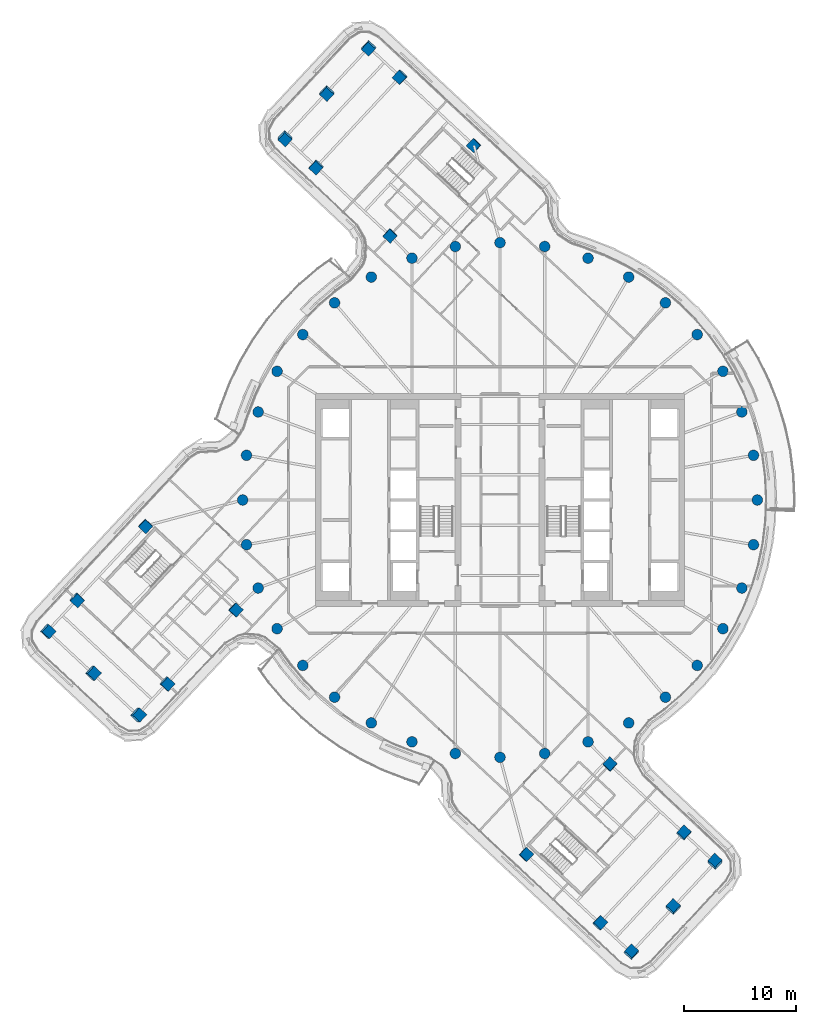
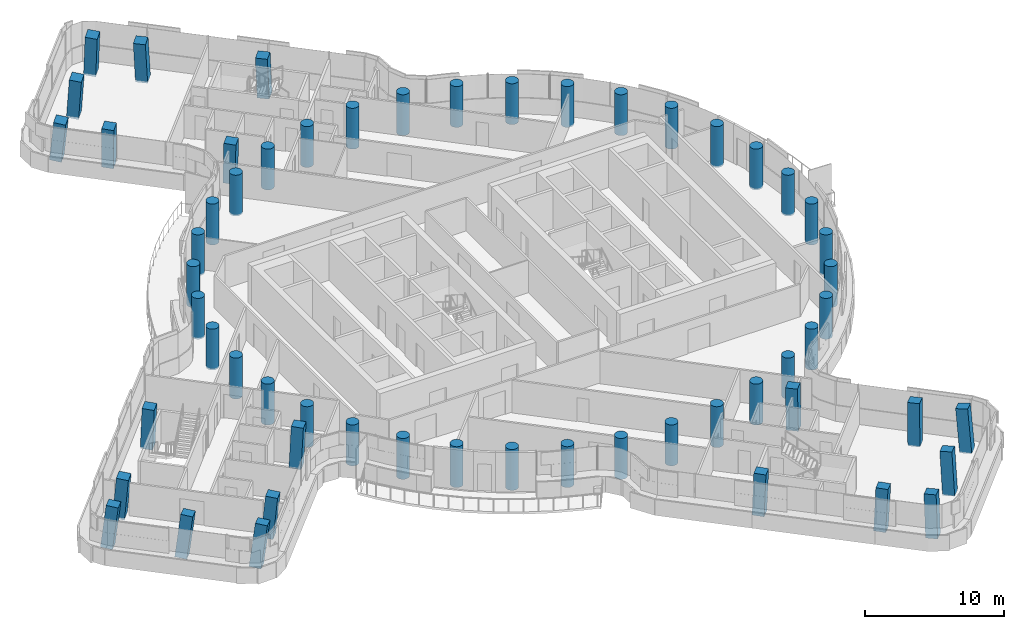
# One storey, part 1 of 30: 57 columns.
"""IFC4 building model written with IfcOpenShell, lengths in metres."""

from ifc_helpers import new_model, si_unit, direction, frame, origin, origin_2d, place, context, subcontext, project, spatial, rectangle, circle, extrude, material, material_profile, profile_set, type_object, element, save


model = new_model("IFC4")

# Units and contexts
model_context = context("Model", 3, precision=1e-05, world=origin(), true_north=direction((0.0, 1.0)))
body_context = subcontext(model_context, "Body", "Model", "MODEL_VIEW")
ifc_project = project(units=[si_unit("LENGTHUNIT", "METRE"), si_unit("AREAUNIT", "SQUARE_METRE"), si_unit("VOLUMEUNIT", "CUBIC_METRE"), si_unit("PLANEANGLEUNIT", "RADIAN"), si_unit("MASSUNIT", "GRAM", prefix="KILO")], contexts=[model_context])

# Site, building, storey
site_placement = place(None, origin())
site = spatial("IfcSite", under=ifc_project, at=site_placement, CompositionType="ELEMENT")
building_placement = place(site_placement, origin())
building = spatial("IfcBuilding", under=site, at=building_placement, Name="Tamarind Cross Interchange Tower", CompositionType="ELEMENT")
storey_placement = place(building_placement, frame((0.0, 0.0, 204.10009765625)))
storey = spatial("IfcBuildingStorey", under=building, at=storey_placement, Name="L51", CompositionType="ELEMENT", Elevation=204.10009765625)

# Columns
ifc_material = material(Name="Concrete C55", Category="concrete")
ifc_material_profile_1 = material_profile(ifc_material, rectangle(XDim=0.89990234375, YDim=0.89990234375, at=origin_2d()), Name="RC 900x900")
ifc_profile_set_1 = profile_set([ifc_material_profile_1], Name="Concrete C55")
column_type_1 = type_object("IfcColumnType", Name="Column RC 900x900 Concrete C55", PredefinedType="COLUMN", material=ifc_profile_set_1)
for number, where, z_axis, x_axis, name in (
    (1, (-16.405517578125, 29.771484375, -0.138671875), (-0.038455830052, -0.083129474453, 0.995796485037), (0.680119574206, 0.727916781478, 0.087031741478), "Column L51-043"),
    (2, (-8.906005859375, 37.818359375, -0.138671875), (-0.079345218044, -0.045620121107, 0.995802762059), (0.730415290282, -0.682472041638, 0.026933549795), "Column L51-044"),
):
    element("IfcColumn", number, at=place(storey_placement, frame(where, z_axis=z_axis, x_axis=x_axis)), inside=storey, type_object=column_type_1, Name=name, PredefinedType="COLUMN", context=body_context, shape_type="SweptSolid", body=[
        extrude(rectangle(XDim=0.89990234375, YDim=0.89990234375, at=origin_2d()), origin(), (0.0, 0.0, 1.0), 3.6123046875),
    ])
for number, where, z_axis, x_axis, name in (
    (3, (-9.82177734375, 23.63525390625, -0.138916015625), (-0.00779464519, -0.049750170171, 0.998731277208), (0.681290927814, 0.730822792245, 0.041721912875), "Column L51-045"),
    (4, (-2.322021484375, 31.682373046875, -0.138916015625), (-0.048869007181, -0.012200306925, 0.998730680738), (0.730987632743, -0.681838831127, 0.027438825491), "Column L51-046"),
):
    element("IfcColumn", number, at=place(storey_placement, frame(where, z_axis=z_axis, x_axis=x_axis)), inside=storey, type_object=column_type_1, Name=name, PredefinedType="COLUMN", context=body_context, shape_type="SweptSolid", body=[
        extrude(rectangle(XDim=0.89990234375, YDim=0.89990234375, at=origin_2d()), origin(), (0.0, 0.0, 1.0), 3.60205078125),
    ])
column_1_placement = place(storey_placement, frame((-11.71875, 40.43994140625, -0.13818359375), z_axis=(-0.032088353302, -0.11379231171, 0.992986227184), x_axis=(0.680161035871, 0.725486944948, 0.105117353438)))
element("IfcColumn", 5, at=column_1_placement, inside=storey, type_object=column_type_1, Name="Column L51-047", PredefinedType="COLUMN", context=body_context, shape_type="SweptSolid", body=[
    extrude(rectangle(XDim=0.89990234375, YDim=0.89990234375, at=origin_2d()), origin(), (0.0, 0.0, 1.0), 3.62158203125),
])
column_2_placement = place(storey_placement, frame((-15.46875, 36.416259765625, -0.137939453125), z_axis=(-0.011642373174, -0.132238516112, 0.991149549767), x_axis=(0.681124805632, 0.724645151317, 0.10468239501)))
element("IfcColumn", 6, at=column_2_placement, inside=storey, type_object=column_type_1, Name="Column L51-048", PredefinedType="COLUMN", context=body_context, shape_type="SweptSolid", body=[
    extrude(rectangle(XDim=0.89990234375, YDim=0.89990234375, at=origin_2d()), origin(), (0.0, 0.0, 1.0), 3.6279296875),
])
column_3_placement = place(storey_placement, frame((-19.218505859375, 32.392822265625, -0.137939453125), z_axis=(0.008725865026, -0.150487610677, 0.988573385395), x_axis=(0.682102485037, 0.723800136939, 0.104161229221)))
element("IfcColumn", 7, at=column_3_placement, inside=storey, type_object=column_type_1, Name="Column L51-049", PredefinedType="COLUMN", context=body_context, shape_type="SweptSolid", body=[
    extrude(rectangle(XDim=0.89990234375, YDim=0.89990234375, at=origin_2d()), origin(), (0.0, 0.0, 1.0), 3.63720703125),
])
for number, where, z_axis, x_axis, name in (
    (8, (-29.771484375, -16.405517578125, -0.138671875), (0.083129474453, -0.038455830052, 0.995796485037), (-0.727916781478, 0.680119574206, 0.087031741478), "Column L51-050"),
    (9, (-37.818359375, -8.906005859375, -0.138671875), (0.045620121107, -0.079345218044, 0.995802762059), (0.682472041638, 0.730415290282, 0.026933549795), "Column L51-051"),
):
    element("IfcColumn", number, at=place(storey_placement, frame(where, z_axis=z_axis, x_axis=x_axis)), inside=storey, type_object=column_type_1, Name=name, PredefinedType="COLUMN", context=body_context, shape_type="SweptSolid", body=[
        extrude(rectangle(XDim=0.89990234375, YDim=0.89990234375, at=origin_2d()), origin(), (0.0, 0.0, 1.0), 3.6123046875),
    ])
for number, where, z_axis, x_axis, name in (
    (10, (-23.63525390625, -9.82177734375, -0.138916015625), (0.049750170171, -0.00779464519, 0.998731277208), (-0.730822792245, 0.681290927814, 0.041721912875), "Column L51-052"),
    (11, (-31.682373046875, -2.322021484375, -0.138916015625), (0.012200306925, -0.048869007181, 0.998730680738), (0.681838831127, 0.730987632743, 0.027438825491), "Column L51-053"),
):
    element("IfcColumn", number, at=place(storey_placement, frame(where, z_axis=z_axis, x_axis=x_axis)), inside=storey, type_object=column_type_1, Name=name, PredefinedType="COLUMN", context=body_context, shape_type="SweptSolid", body=[
        extrude(rectangle(XDim=0.89990234375, YDim=0.89990234375, at=origin_2d()), origin(), (0.0, 0.0, 1.0), 3.60205078125),
    ])
column_4_placement = place(storey_placement, frame((-40.43994140625, -11.71875, -0.13818359375), z_axis=(0.11379231171, -0.032088353302, 0.992986227184), x_axis=(-0.725486944948, 0.680161035871, 0.105117353438)))
element("IfcColumn", 12, at=column_4_placement, inside=storey, type_object=column_type_1, Name="Column L51-054", PredefinedType="COLUMN", context=body_context, shape_type="SweptSolid", body=[
    extrude(rectangle(XDim=0.89990234375, YDim=0.89990234375, at=origin_2d()), origin(), (0.0, 0.0, 1.0), 3.62158203125),
])
column_5_placement = place(storey_placement, frame((-36.416259765625, -15.46875, -0.137939453125), z_axis=(0.132238516112, -0.011642373174, 0.991149549767), x_axis=(-0.724645151317, 0.681124805632, 0.10468239501)))
element("IfcColumn", 13, at=column_5_placement, inside=storey, type_object=column_type_1, Name="Column L51-055", PredefinedType="COLUMN", context=body_context, shape_type="SweptSolid", body=[
    extrude(rectangle(XDim=0.89990234375, YDim=0.89990234375, at=origin_2d()), origin(), (0.0, 0.0, 1.0), 3.6279296875),
])
column_6_placement = place(storey_placement, frame((-32.392822265625, -19.218505859375, -0.137939453125), z_axis=(0.150487610677, 0.008725865026, 0.988573385395), x_axis=(-0.723800136939, 0.682102485037, 0.104161229221)))
element("IfcColumn", 14, at=column_6_placement, inside=storey, type_object=column_type_1, Name="Column L51-056", PredefinedType="COLUMN", context=body_context, shape_type="SweptSolid", body=[
    extrude(rectangle(XDim=0.89990234375, YDim=0.89990234375, at=origin_2d()), origin(), (0.0, 0.0, 1.0), 3.63720703125),
])
for number, where, z_axis, x_axis, name in (
    (15, (16.405517578125, -29.771484375, -0.138671875), (0.038455830052, 0.083129474453, 0.995796485037), (-0.680119574206, -0.727916781478, 0.087031741478), "Column L51-057"),
    (16, (8.906005859375, -37.818359375, -0.138671875), (0.079345218044, 0.045620121107, 0.995802762059), (-0.730415290282, 0.682472041638, 0.026933549795), "Column L51-058"),
):
    element("IfcColumn", number, at=place(storey_placement, frame(where, z_axis=z_axis, x_axis=x_axis)), inside=storey, type_object=column_type_1, Name=name, PredefinedType="COLUMN", context=body_context, shape_type="SweptSolid", body=[
        extrude(rectangle(XDim=0.89990234375, YDim=0.89990234375, at=origin_2d()), origin(), (0.0, 0.0, 1.0), 3.6123046875),
    ])
for number, where, z_axis, x_axis, name in (
    (17, (9.82177734375, -23.63525390625, -0.138916015625), (0.00779464519, 0.049750170171, 0.998731277208), (-0.681290927814, -0.730822792245, 0.041721912875), "Column L51-059"),
    (18, (2.322021484375, -31.682373046875, -0.138916015625), (0.048869007181, 0.012200306925, 0.998730680738), (-0.730987632743, 0.681838831127, 0.027438825491), "Column L51-060"),
):
    element("IfcColumn", number, at=place(storey_placement, frame(where, z_axis=z_axis, x_axis=x_axis)), inside=storey, type_object=column_type_1, Name=name, PredefinedType="COLUMN", context=body_context, shape_type="SweptSolid", body=[
        extrude(rectangle(XDim=0.89990234375, YDim=0.89990234375, at=origin_2d()), origin(), (0.0, 0.0, 1.0), 3.60205078125),
    ])
column_7_placement = place(storey_placement, frame((11.71875, -40.43994140625, -0.13818359375), z_axis=(0.032088353302, 0.11379231171, 0.992986227184), x_axis=(-0.680161035871, -0.725486944948, 0.105117353438)))
element("IfcColumn", 19, at=column_7_placement, inside=storey, type_object=column_type_1, Name="Column L51-061", PredefinedType="COLUMN", context=body_context, shape_type="SweptSolid", body=[
    extrude(rectangle(XDim=0.89990234375, YDim=0.89990234375, at=origin_2d()), origin(), (0.0, 0.0, 1.0), 3.62158203125),
])
column_8_placement = place(storey_placement, frame((15.46875, -36.416259765625, -0.137939453125), z_axis=(0.011642373174, 0.132238516112, 0.991149549767), x_axis=(-0.681124805632, -0.724645151317, 0.10468239501)))
element("IfcColumn", 20, at=column_8_placement, inside=storey, type_object=column_type_1, Name="Column L51-062", PredefinedType="COLUMN", context=body_context, shape_type="SweptSolid", body=[
    extrude(rectangle(XDim=0.89990234375, YDim=0.89990234375, at=origin_2d()), origin(), (0.0, 0.0, 1.0), 3.6279296875),
])
column_9_placement = place(storey_placement, frame((19.218505859375, -32.392822265625, -0.137939453125), z_axis=(-0.008725865026, 0.150487610677, 0.988573385395), x_axis=(-0.682102485037, -0.723800136939, 0.104161229221)))
element("IfcColumn", 21, at=column_9_placement, inside=storey, type_object=column_type_1, Name="Column L51-063", PredefinedType="COLUMN", context=body_context, shape_type="SweptSolid", body=[
    extrude(rectangle(XDim=0.89990234375, YDim=0.89990234375, at=origin_2d()), origin(), (0.0, 0.0, 1.0), 3.63720703125),
])
ifc_material_profile_2 = material_profile(ifc_material, circle(Radius=0.47509765625, at=origin_2d()), Name="RC D950")
ifc_profile_set_2 = profile_set([ifc_material_profile_2], Name="Concrete C55")
column_type_2 = type_object("IfcColumnType", Name="Column RC D950 Concrete C55", PredefinedType="COLUMN", material=ifc_profile_set_2)
for number, where, z_axis, x_axis, name in (
    (22, (23.0, 0.0, -0.14013671875), (0.0, 0.0, 1.0), (1.0, 0.0, 0.0), "Column L51-000"),
    (23, (22.650634765625, 3.993896484375, -0.14013671875), (0.0, 0.0, 1.0), (1.0, 0.0, 0.0), "Column L51-001"),
    (24, (21.613037109375, 7.866455078125, -0.14013671875), (0.0, 0.0, 1.0), (1.0, 0.0, 0.0), "Column L51-002"),
    (25, (19.918701171875, 11.5, -0.14013671875), (0.0, 0.0, 1.0), (1.0, 0.0, 0.0), "Column L51-003"),
    (26, (17.619140625, 14.7841796875, -0.14013671875), (0.0, 0.0, 1.0), (1.0, 0.0, 0.0), "Column L51-004"),
    (27, (14.7841796875, 17.619140625, -0.14013671875), (0.0, 0.0, 1.0), (1.0, 0.0, 0.0), "Column L51-005"),
    (28, (11.5, 19.918701171875, -0.14013671875), (0.0, 0.0, 1.0), (1.0, 0.0, 0.0), "Column L51-006"),
    (29, (7.866455078125, 21.613037109375, -0.14013671875), (0.0, 0.0, 1.0), (1.0, 0.0, 0.0), "Column L51-007"),
    (30, (3.993896484375, 22.650634765625, -0.14013671875), (0.0, 0.0, 1.0), (1.0, 0.0, 0.0), "Column L51-008"),
    (31, (0.0, 23.0, -0.14013671875), (0.0, 0.0, 1.0), (1.0, 0.0, 0.0), "Column L51-009"),
    (32, (-3.993896484375, 22.650634765625, -0.14013671875), (0.0, 0.0, 1.0), (1.0, 0.0, 0.0), "Column L51-010"),
    (33, (-7.866455078125, 21.613037109375, -0.14013671875), (0.0, 0.0, 1.0), (1.0, 0.0, 0.0), "Column L51-011"),
    (34, (-11.5, 19.918701171875, -0.14013671875), (0.0, 0.0, 1.0), (1.0, 0.0, 0.0), "Column L51-012"),
    (35, (-14.7841796875, 17.619140625, -0.14013671875), (0.0, 0.0, 1.0), (1.0, 0.0, 0.0), "Column L51-013"),
    (36, (-17.619140625, 14.7841796875, -0.14013671875), (0.0, 0.0, 1.0), (1.0, 0.0, 0.0), "Column L51-014"),
    (37, (-19.918701171875, 11.5, -0.14013671875), (0.0, 0.0, 1.0), (1.0, 0.0, 0.0), "Column L51-015"),
    (38, (-21.613037109375, 7.866455078125, -0.14013671875), (0.0, 0.0, 1.0), (1.0, 0.0, 0.0), "Column L51-016"),
    (39, (-22.650634765625, 3.993896484375, -0.14013671875), (0.0, 0.0, 1.0), (1.0, 0.0, 0.0), "Column L51-017"),
    (40, (-23.0, 0.0, -0.14013671875), (0.0, 0.0, 1.0), (1.0, 0.0, 0.0), "Column L51-018"),
    (41, (-22.650634765625, -3.993896484375, -0.14013671875), (0.0, 0.0, 1.0), (1.0, 0.0, 0.0), "Column L51-019"),
    (42, (-21.613037109375, -7.866455078125, -0.14013671875), (0.0, 0.0, 1.0), (1.0, 0.0, 0.0), "Column L51-020"),
    (43, (-19.918701171875, -11.5, -0.14013671875), (0.0, 0.0, 1.0), (1.0, 0.0, 0.0), "Column L51-021"),
    (44, (-17.619140625, -14.7841796875, -0.14013671875), (0.0, 0.0, 1.0), (1.0, 0.0, 0.0), "Column L51-022"),
    (45, (-14.7841796875, -17.619140625, -0.14013671875), (0.0, 0.0, 1.0), (1.0, 0.0, 0.0), "Column L51-023"),
    (46, (-11.5, -19.918701171875, -0.14013671875), (0.0, 0.0, 1.0), (1.0, 0.0, 0.0), "Column L51-024"),
    (47, (-7.866455078125, -21.613037109375, -0.14013671875), (0.0, 0.0, 1.0), (1.0, 0.0, 0.0), "Column L51-025"),
    (48, (-3.993896484375, -22.650634765625, -0.14013671875), (0.0, 0.0, 1.0), (1.0, 0.0, 0.0), "Column L51-026"),
    (49, (0.0, -23.0, -0.14013671875), (0.0, 0.0, 1.0), (1.0, 0.0, 0.0), "Column L51-027"),
    (50, (3.993896484375, -22.650634765625, -0.14013671875), (0.0, 0.0, 1.0), (1.0, 0.0, 0.0), "Column L51-028"),
    (51, (7.866455078125, -21.613037109375, -0.14013671875), (0.0, 0.0, 1.0), (1.0, 0.0, 0.0), "Column L51-029"),
    (52, (11.5, -19.918701171875, -0.14013671875), (0.0, 0.0, 1.0), (1.0, 0.0, 0.0), "Column L51-030"),
    (53, (14.7841796875, -17.619140625, -0.14013671875), (0.0, 0.0, 1.0), (1.0, 0.0, 0.0), "Column L51-031"),
    (54, (17.619140625, -14.7841796875, -0.14013671875), (0.0, 0.0, 1.0), (1.0, 0.0, 0.0), "Column L51-032"),
    (55, (19.918701171875, -11.5, -0.14013671875), (0.0, 0.0, 1.0), (1.0, 0.0, 0.0), "Column L51-033"),
    (56, (21.613037109375, -7.866455078125, -0.14013671875), (0.0, 0.0, 1.0), (1.0, 0.0, 0.0), "Column L51-034"),
    (57, (22.650634765625, -3.993896484375, -0.14013671875), (0.0, 0.0, 1.0), (1.0, 0.0, 0.0), "Column L51-035"),
):
    element("IfcColumn", number, at=place(storey_placement, frame(where, z_axis=z_axis, x_axis=x_axis)), inside=storey, type_object=column_type_2, Name=name, PredefinedType="COLUMN", context=body_context, shape_type="SweptSolid", body=[
        extrude(circle(Radius=0.47509765625, at=origin_2d()), origin(), (0.0, 0.0, 1.0), 3.60009765625),
    ])

save(model, "model.ifc")
